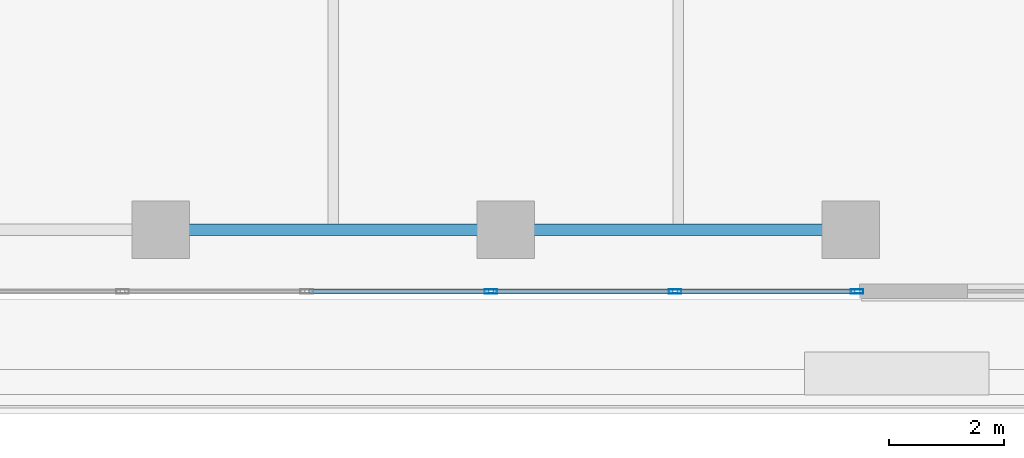
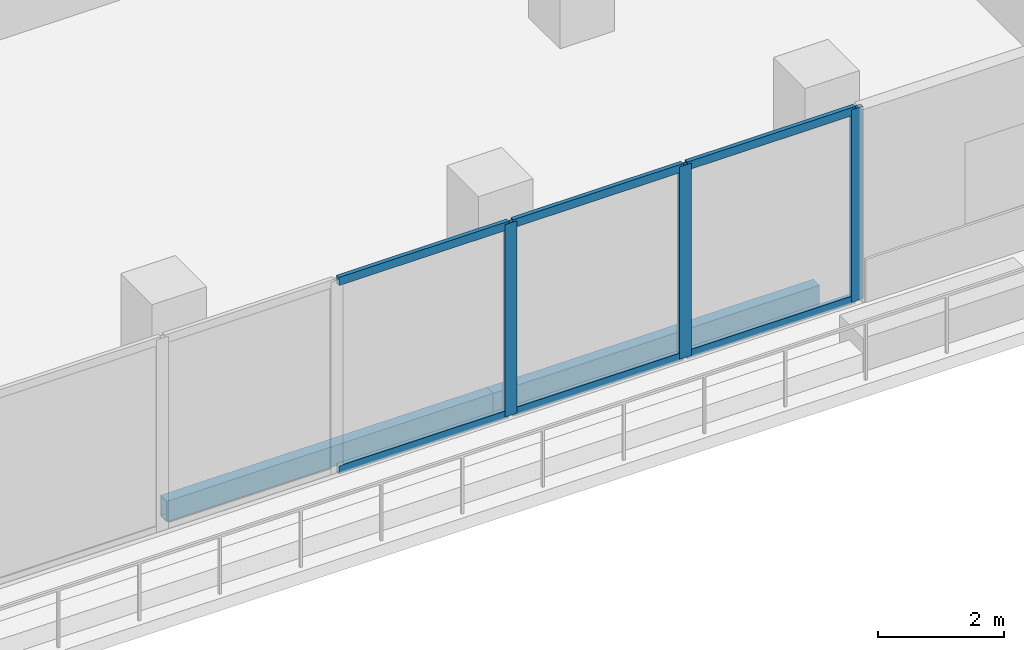
# One storey, part 19 of 38: 9 members, 2 beams, 1 element without a shape of its own.
"""IFC4 building model written with IfcOpenShell, lengths in metres."""

from ifc_helpers import new_model, si_unit, direction, frame, origin, origin_2d, place, context, subcontext, project, spatial, hollow_rectangle, extrude, material, layer, layer_set, material_profile, profile_set, type_object, element, aggregate, save


model = new_model("IFC4")

# Units and contexts
model_context = context("Model", 3, precision=1e-05, world=origin(), true_north=direction((0.0, 1.0)))
body_context = subcontext(model_context, "Body", "Model", "MODEL_VIEW")
ifc_project = project(units=[si_unit("LENGTHUNIT", "METRE"), si_unit("AREAUNIT", "SQUARE_METRE"), si_unit("VOLUMEUNIT", "CUBIC_METRE"), si_unit("PLANEANGLEUNIT", "RADIAN"), si_unit("MASSUNIT", "GRAM", prefix="KILO")], contexts=[model_context])

# Site, building, storey
site_placement = place(None, origin())
site = spatial("IfcSite", under=ifc_project, at=site_placement, CompositionType="ELEMENT")
building_placement = place(site_placement, origin())
building = spatial("IfcBuilding", under=site, at=building_placement, Name="Tanjung Sevakor Pilgrim Tower", CompositionType="ELEMENT")
storey_placement = place(building_placement, frame((0.0, 0.0, 78.2099609375)))
storey = spatial("IfcBuildingStorey", under=building, at=storey_placement, Name="L21", CompositionType="ELEMENT", Elevation=78.2099609375)

# Beams
ifc_material_1 = material(Name="Steel S355J2", Category="steel")
ifc_material_profile_1 = material_profile(ifc_material_1, hollow_rectangle(XDim=0.199951171875, YDim=0.39990234375, WallThickness=0.01611328125, at=origin_2d()))
ifc_profile_set_1 = profile_set([ifc_material_profile_1], Name="Steel S355J2")
beam_type = type_object("IfcBeamType", Name="BM-B-SP2-RHS_400x200x16", PredefinedType="SPANDREL", material=ifc_profile_set_1)
for number, where, z_axis, x_axis, name in (
    (1, (78.0, 10.800048828125, -0.47998046875), (1.0, 0.0, 0.0), (0.0, 1.0, 0.0), "L21 Spandrel MAIN S-15"),
    (2, (84.0, 10.800048828125, -0.47998046875), (1.0, 0.0, 0.0), (0.0, 1.0, 0.0), "L21 Spandrel MAIN S-17"),
):
    element("IfcBeam", number, at=place(storey_placement, frame(where, z_axis=z_axis, x_axis=x_axis)), inside=storey, type_object=beam_type, Name=name, PredefinedType="SPANDREL", context=body_context, shape_type="SweptSolid", body=[
        extrude(hollow_rectangle(XDim=0.199951171875, YDim=0.39990234375, WallThickness=0.01611328125, at=origin_2d()), origin(), (0.0, 0.0, 1.0), 6.0),
    ])

# Curtain wall, members
ifc_material_2 = material(Name="Aluminium 6063-T6 and Low-E Glass", Category="aluminium")
ifc_layer = layer(ifc_material_2, 0.199951171875)
ifc_layer_set = layer_set([ifc_layer], Name="CW-SYS-SKY")
curtain_wall_type = type_object("IfcCurtainWallType", Name="CW-SYS-SKY", PredefinedType="NOTDEFINED", material=ifc_layer_set)
curtain_wall_placement = place(storey_placement, origin())
curtain_wall = element("IfcCurtainWall", 3, at=curtain_wall_placement, inside=storey, type_object=curtain_wall_type, Name="L21 Curtain Wall CW-SKY-L21-S", PredefinedType="NOTDEFINED")
ifc_material_3 = material(Name="Aluminium 6063-T6", Category="aluminium")
ifc_material_profile_2 = material_profile(ifc_material_3, hollow_rectangle(XDim=0.074951171875, YDim=0.219970703125, WallThickness=0.0048828125, at=origin_2d()))
ifc_profile_set_2 = profile_set([ifc_material_profile_2], Name="Aluminium 6063-T6")
member_type_1 = type_object("IfcMemberType", Name="TYPE-CWM-2", PredefinedType="MULLION", material=ifc_profile_set_2)
member_1_placement = place(storey_placement, frame((83.74365234375, 9.72509765625, 0.0), z_axis=(0.0, 0.0, 1.0), x_axis=(0.0, 1.0, 0.0)))
member_1 = element("IfcMember", 4, at=member_1_placement, type_object=member_type_1, Name="CW-SKY mullion 9", PredefinedType="MULLION", context=body_context, shape_type="SweptSolid", body=[
    extrude(hollow_rectangle(XDim=0.074951171875, YDim=0.219970703125, WallThickness=0.0048828125, at=origin_2d()), origin(), (0.0, 0.0, 1.0), 3.739990234375),
])
member_2_placement = place(storey_placement, frame((86.94580078125, 9.72509765625, 0.0), z_axis=(0.0, 0.0, 1.0), x_axis=(0.0, 1.0, 0.0)))
member_2 = element("IfcMember", 5, at=member_2_placement, type_object=member_type_1, Name="CW-SKY mullion 10", PredefinedType="MULLION", context=body_context, shape_type="SweptSolid", body=[
    extrude(hollow_rectangle(XDim=0.074951171875, YDim=0.219970703125, WallThickness=0.0048828125, at=origin_2d()), origin(), (0.0, 0.0, 1.0), 3.739990234375),
])
member_3_placement = place(storey_placement, frame((90.110595703125, 9.72509765625, 0.0), z_axis=(0.0, 0.0, 1.0), x_axis=(0.0, 1.0, 0.0)))
member_3 = element("IfcMember", 6, at=member_3_placement, type_object=member_type_1, Name="CW-SKY mullion 11", PredefinedType="MULLION", context=body_context, shape_type="SweptSolid", body=[
    extrude(hollow_rectangle(XDim=0.074951171875, YDim=0.219970703125, WallThickness=0.0048828125, at=origin_2d()), origin(), (0.0, 0.0, 1.0), 3.739990234375),
])
ifc_material_4 = material(Name="Aluminium 6063-T6", Category="aluminium")
ifc_material_profile_3 = material_profile(ifc_material_4, hollow_rectangle(XDim=0.074951171875, YDim=0.159912109375, WallThickness=0.00439453125, at=origin_2d()))
ifc_profile_set_3 = profile_set([ifc_material_profile_3], Name="Aluminium 6063-T6")
member_type_2 = type_object("IfcMemberType", Name="TYPE-CWT-2", PredefinedType="USERDEFINED", material=ifc_profile_set_3)
member_4_placement = place(storey_placement, frame((80.578857421875, 9.72509765625, 0.03759765625), z_axis=(1.0, 0.0, 0.0), x_axis=(0.0, 1.0, 0.0)))
member_4 = element("IfcMember", 7, at=member_4_placement, type_object=member_type_2, Name="CW-SKY transom 8.1", ObjectType="TRANSOM", PredefinedType="USERDEFINED", context=body_context, shape_type="SweptSolid", body=[
    extrude(hollow_rectangle(XDim=0.074951171875, YDim=0.159912109375, WallThickness=0.00439453125, at=origin_2d()), origin(), (0.0, 0.0, 1.0), 3.127197265625),
])
member_5_placement = place(storey_placement, frame((80.578857421875, 9.72509765625, 3.70263671875), z_axis=(1.0, 0.0, 0.0), x_axis=(0.0, 1.0, 0.0)))
member_5 = element("IfcMember", 8, at=member_5_placement, type_object=member_type_2, Name="CW-SKY transom 8.2", ObjectType="TRANSOM", PredefinedType="USERDEFINED", context=body_context, shape_type="SweptSolid", body=[
    extrude(hollow_rectangle(XDim=0.074951171875, YDim=0.159912109375, WallThickness=0.00439453125, at=origin_2d()), origin(), (0.0, 0.0, 1.0), 3.127197265625),
])
member_6_placement = place(storey_placement, frame((83.781005859375, 9.72509765625, 0.03759765625), z_axis=(1.0, 0.0, 0.0), x_axis=(0.0, 1.0, 0.0)))
member_6 = element("IfcMember", 9, at=member_6_placement, type_object=member_type_2, Name="CW-SKY transom 9.1", ObjectType="TRANSOM", PredefinedType="USERDEFINED", context=body_context, shape_type="SweptSolid", body=[
    extrude(hollow_rectangle(XDim=0.074951171875, YDim=0.159912109375, WallThickness=0.00439453125, at=origin_2d()), origin(), (0.0, 0.0, 1.0), 3.12744140625),
])
member_7_placement = place(storey_placement, frame((83.781005859375, 9.72509765625, 3.70263671875), z_axis=(1.0, 0.0, 0.0), x_axis=(0.0, 1.0, 0.0)))
member_7 = element("IfcMember", 10, at=member_7_placement, type_object=member_type_2, Name="CW-SKY transom 9.2", ObjectType="TRANSOM", PredefinedType="USERDEFINED", context=body_context, shape_type="SweptSolid", body=[
    extrude(hollow_rectangle(XDim=0.074951171875, YDim=0.159912109375, WallThickness=0.00439453125, at=origin_2d()), origin(), (0.0, 0.0, 1.0), 3.12744140625),
])
member_8_placement = place(storey_placement, frame((86.9833984375, 9.72509765625, 0.03759765625), z_axis=(1.0, 0.0, 0.0), x_axis=(0.0, 1.0, 0.0)))
member_8 = element("IfcMember", 11, at=member_8_placement, type_object=member_type_2, Name="CW-SKY transom 10.1", ObjectType="TRANSOM", PredefinedType="USERDEFINED", context=body_context, shape_type="SweptSolid", body=[
    extrude(hollow_rectangle(XDim=0.074951171875, YDim=0.159912109375, WallThickness=0.00439453125, at=origin_2d()), origin(), (0.0, 0.0, 1.0), 3.08984375),
])
member_9_placement = place(storey_placement, frame((86.9833984375, 9.72509765625, 3.70263671875), z_axis=(1.0, 0.0, 0.0), x_axis=(0.0, 1.0, 0.0)))
member_9 = element("IfcMember", 12, at=member_9_placement, type_object=member_type_2, Name="CW-SKY transom 10.2", ObjectType="TRANSOM", PredefinedType="USERDEFINED", context=body_context, shape_type="SweptSolid", body=[
    extrude(hollow_rectangle(XDim=0.074951171875, YDim=0.159912109375, WallThickness=0.00439453125, at=origin_2d()), origin(), (0.0, 0.0, 1.0), 3.08984375),
])
aggregate(curtain_wall, [member_1, member_2, member_3, member_4, member_5, member_6, member_7, member_8, member_9])

save(model, "model.ifc")
